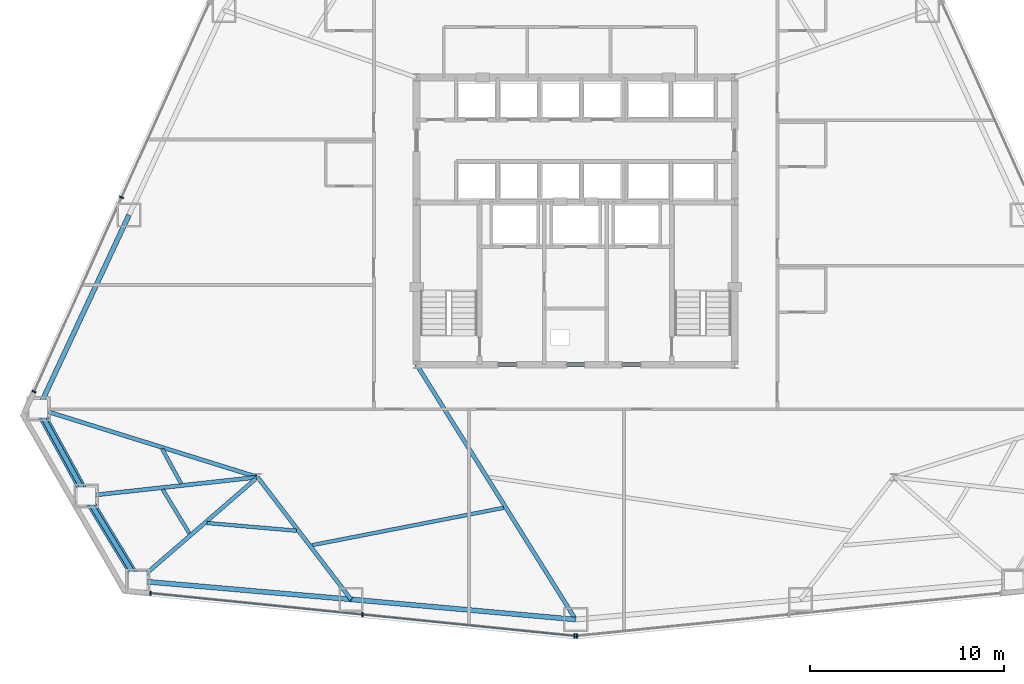
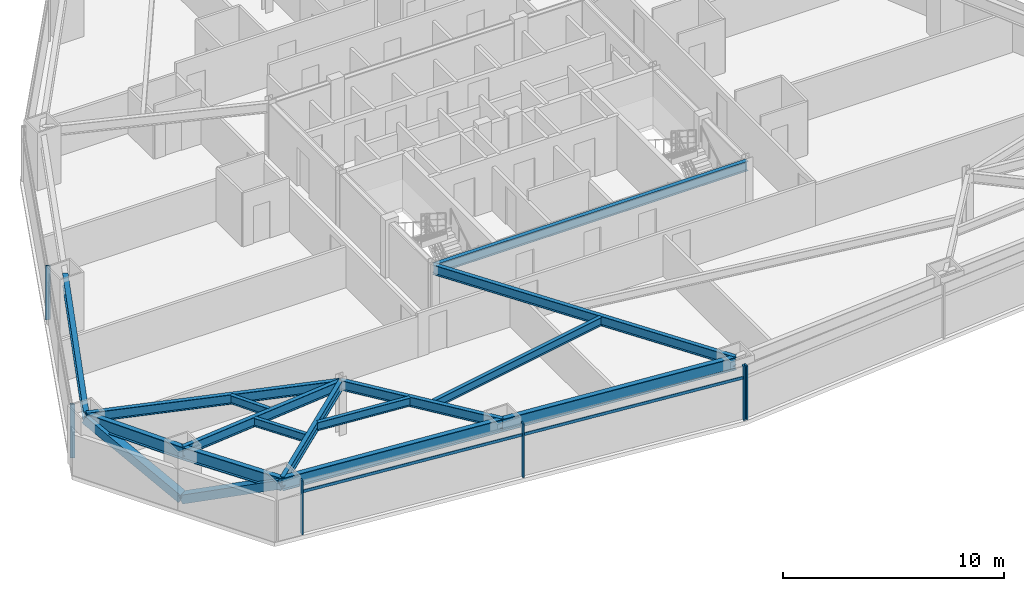
# One storey, part 4 of 12: 15 beams, 9 members, 3 elements without a shape of their own.
"""IFC4 building model written with IfcOpenShell, lengths in metres."""

from ifc_helpers import new_model, si_unit, direction, frame, origin, origin_2d, place, context, subcontext, project, spatial, rectangle, hollow_rectangle, i_section, extrude, source, transform, mapped, material, layer, layer_set, material_profile, profile_set, type_object, type_shapes, element, aggregate, save


model = new_model("IFC4")

# Units and contexts
model_context = context("Model", 3, precision=1e-05, world=origin(), true_north=direction((0.0, 1.0)))
body_context = subcontext(model_context, "Body", "Model", "MODEL_VIEW")
ifc_project = project(units=[si_unit("LENGTHUNIT", "METRE"), si_unit("AREAUNIT", "SQUARE_METRE"), si_unit("VOLUMEUNIT", "CUBIC_METRE"), si_unit("PLANEANGLEUNIT", "RADIAN"), si_unit("MASSUNIT", "GRAM", prefix="KILO")], contexts=[model_context])

# Site, building, storey
site_placement = place(None, origin())
site = spatial("IfcSite", under=ifc_project, at=site_placement, CompositionType="ELEMENT")
building_placement = place(site_placement, origin())
building = spatial("IfcBuilding", under=site, at=building_placement, Name="Varakhsha Concourse Tower", CompositionType="ELEMENT")
storey_placement = place(building_placement, frame((0.0, 0.0, 30.39990234375)))
storey = spatial("IfcBuildingStorey", under=building, at=storey_placement, Name="L07", CompositionType="ELEMENT", Elevation=30.39990234375)

# Beams
ifc_material_1 = material(Name="Structural Steel ASTM A992 Grade 50", Category="steel")
ifc_material_profile_1 = material_profile(ifc_material_1, i_section(OverallWidth=0.19091796875, OverallDepth=0.45703125, WebThickness=0.009033203125, FlangeThickness=0.013916015625, at=origin_2d()), Name="W18X50")
ifc_profile_set_1 = profile_set([ifc_material_profile_1], Name="Structural Steel ASTM A992 Grade 50")
beam_type_1 = type_object("IfcBeamType", Name="BM-JST-W18X50", PredefinedType="JOIST", material=ifc_profile_set_1)
beam_1_placement = place(storey_placement, frame((18.68212890625, 12.054931640625, 2.751708984375), z_axis=(0.480061927363, -0.877234601402, 0.0), x_axis=(0.877234601402, 0.480061927363, 0.0)))
element("IfcBeam", 1, at=beam_1_placement, inside=storey, type_object=beam_type_1, Name="BM-TJST-L07-07", PredefinedType="JOIST", context=body_context, shape_type="SweptSolid", body=[
    extrude(i_section(OverallWidth=0.19091796875, OverallDepth=0.45703125, WebThickness=0.009033203125, FlangeThickness=0.013916015625, at=origin_2d()), origin(), (0.0, 0.0, 1.0), 2.03515625),
])
beam_2_placement = place(storey_placement, frame((18.708984375, 9.962890625, 2.751708984375), z_axis=(0.519566972443, -0.854429728618, 0.0), x_axis=(0.854429728618, 0.519566972443, 0.0)))
element("IfcBeam", 2, at=beam_2_placement, inside=storey, type_object=beam_type_1, Name="BM-TJST-L07-08", PredefinedType="JOIST", context=body_context, shape_type="SweptSolid", body=[
    extrude(i_section(OverallWidth=0.19091796875, OverallDepth=0.45703125, WebThickness=0.009033203125, FlangeThickness=0.013916015625, at=origin_2d()), origin(), (0.0, 0.0, 1.0), 2.650146484375),
])
beam_3_placement = place(storey_placement, frame((20.993408203125, 8.23681640625, 2.751708984375), z_axis=(0.996276100102, -0.08622025496, 0.0), x_axis=(0.08622025496, 0.996276100102, 0.0)))
element("IfcBeam", 3, at=beam_3_placement, inside=storey, type_object=beam_type_1, Name="BM-TJST-L07-09", PredefinedType="JOIST", context=body_context, shape_type="SweptSolid", body=[
    extrude(i_section(OverallWidth=0.19091796875, OverallDepth=0.45703125, WebThickness=0.009033203125, FlangeThickness=0.013916015625, at=origin_2d()), origin(), (0.0, 0.0, 1.0), 4.632568359375),
])
beam_4_placement = place(storey_placement, frame((26.40380859375, 7.0927734375, 2.751708984375), z_axis=(0.981492370996, 0.191501241972, 0.0), x_axis=(-0.191501241972, 0.981492370996, 0.0)))
element("IfcBeam", 4, at=beam_4_placement, inside=storey, type_object=beam_type_1, Name="BM-TJST-L07-10", PredefinedType="JOIST", context=body_context, shape_type="SweptSolid", body=[
    extrude(i_section(OverallWidth=0.19091796875, OverallDepth=0.45703125, WebThickness=0.009033203125, FlangeThickness=0.013916015625, at=origin_2d()), origin(), (0.0, 0.0, 1.0), 10.06640625),
])
ifc_material_profile_2 = material_profile(ifc_material_1, i_section(OverallWidth=0.2109375, OverallDepth=0.5390625, WebThickness=0.011962890625, FlangeThickness=0.01904296875, at=origin_2d()), Name="W21X73")
ifc_profile_set_2 = profile_set([ifc_material_profile_2], Name="Structural Steel ASTM A992 Grade 50")
beam_type_2 = type_object("IfcBeamType", Name="BM-RAD-W21X73", PredefinedType="BEAM", material=ifc_profile_set_2)
beam_5_placement = place(storey_placement, frame((31.800048828125, 16.39990234375, 2.710693359375), z_axis=(1.0, 0.0, 0.0), x_axis=(0.0, 1.0, 0.0)))
element("IfcBeam", 5, at=beam_5_placement, inside=storey, type_object=beam_type_2, Name="BM-TCORE-L07-CS", PredefinedType="BEAM", context=body_context, shape_type="SweptSolid", body=[
    extrude(i_section(OverallWidth=0.2109375, OverallDepth=0.5390625, WebThickness=0.011962890625, FlangeThickness=0.01904296875, at=origin_2d()), origin(), (0.0, 0.0, 1.0), 16.39990234375),
])
beam_6_placement = place(storey_placement, frame((23.60009765625, 10.60009765625, 2.710693359375), z_axis=(-0.954595165952, 0.297906141495, 0.0), x_axis=(-0.297906141495, -0.954595165952, 0.0)))
element("IfcBeam", 6, at=beam_6_placement, inside=storey, type_object=beam_type_2, Name="L07 Radial Floor Girder 07", PredefinedType="BEAM", context=body_context, shape_type="SweptSolid", body=[
    extrude(i_section(OverallWidth=0.2109375, OverallDepth=0.5390625, WebThickness=0.011962890625, FlangeThickness=0.01904296875, at=origin_2d()), origin(), (0.0, 0.0, 1.0), 11.834716796875),
])
beam_7_placement = place(storey_placement, frame((23.60009765625, 10.60009765625, 2.710693359375), z_axis=(-0.994025918026, -0.109144281995, 0.0), x_axis=(0.109144281995, -0.994025918026, 0.0)))
element("IfcBeam", 7, at=beam_7_placement, inside=storey, type_object=beam_type_2, Name="L07 Radial Floor Girder 08", PredefinedType="BEAM", context=body_context, shape_type="SweptSolid", body=[
    extrude(i_section(OverallWidth=0.2109375, OverallDepth=0.5390625, WebThickness=0.011962890625, FlangeThickness=0.01904296875, at=origin_2d()), origin(), (0.0, 0.0, 1.0), 8.889404296875),
])
beam_8_placement = place(storey_placement, frame((23.60009765625, 10.60009765625, 2.710693359375), z_axis=(-0.755728528056, -0.65488502188, 0.0), x_axis=(0.65488502188, -0.755728528056, 0.0)))
element("IfcBeam", 8, at=beam_8_placement, inside=storey, type_object=beam_type_2, Name="L07 Radial Floor Girder 09", PredefinedType="BEAM", context=body_context, shape_type="SweptSolid", body=[
    extrude(i_section(OverallWidth=0.2109375, OverallDepth=0.5390625, WebThickness=0.011962890625, FlangeThickness=0.01904296875, at=origin_2d()), origin(), (0.0, 0.0, 1.0), 8.16845703125),
])
beam_9_placement = place(storey_placement, frame((23.60009765625, 10.60009765625, 2.710693359375), z_axis=(0.607124337511, -0.794606845428, 0.0), x_axis=(0.794606845428, 0.607124337511, 0.0)))
element("IfcBeam", 9, at=beam_9_placement, inside=storey, type_object=beam_type_2, Name="L07 Radial Floor Girder 10", PredefinedType="BEAM", context=body_context, shape_type="SweptSolid", body=[
    extrude(i_section(OverallWidth=0.2109375, OverallDepth=0.5390625, WebThickness=0.011962890625, FlangeThickness=0.01904296875, at=origin_2d()), origin(), (0.0, 0.0, 1.0), 7.92919921875),
])
beam_10_placement = place(storey_placement, frame((31.800048828125, 16.39990234375, 2.710693359375), z_axis=(0.52941931836, -0.84836029218, 0.0), x_axis=(0.84836029218, 0.52941931836, 0.0)))
element("IfcBeam", 10, at=beam_10_placement, inside=storey, type_object=beam_type_2, Name="L07 Radial Floor Girder 11", PredefinedType="BEAM", context=body_context, shape_type="SweptSolid", body=[
    extrude(i_section(OverallWidth=0.2109375, OverallDepth=0.5390625, WebThickness=0.011962890625, FlangeThickness=0.01904296875, at=origin_2d()), origin(), (0.0, 0.0, 1.0), 15.488525390625),
])
ifc_material_profile_3 = material_profile(ifc_material_1, i_section(OverallWidth=0.25390625, OverallDepth=0.701904296875, WebThickness=0.014892578125, FlangeThickness=0.028076171875, at=origin_2d()), Name="W27X129")
ifc_profile_set_3 = profile_set([ifc_material_profile_3], Name="Structural Steel ASTM A992 Grade 50")
beam_type_3 = type_object("IfcBeamType", Name="BM-SPAN-W27X129", PredefinedType="SPANDREL", material=ifc_profile_set_3)
beam_11_placement = place(storey_placement, frame((16.972900390625, 24.116455078125, 2.629150390625), z_axis=(-0.423468305163, -0.90591091975, 0.0), x_axis=(0.90591091975, -0.423468305163, 0.0)))
element("IfcBeam", 11, at=beam_11_placement, inside=storey, type_object=beam_type_3, Name="BM-SPAN-L07-06", PredefinedType="SPANDREL", context=body_context, shape_type="SweptSolid", body=[
    extrude(i_section(OverallWidth=0.25390625, OverallDepth=0.701904296875, WebThickness=0.014892578125, FlangeThickness=0.028076171875, at=origin_2d()), origin(), (0.0, 0.0, 1.0), 11.0283203125),
])
beam_12_placement = place(storey_placement, frame((12.302734375, 14.125732421875, 2.629150390625), z_axis=(0.480189853619, -0.877164582323, 0.0), x_axis=(0.877164582323, 0.480189853619, 0.0)))
element("IfcBeam", 12, at=beam_12_placement, inside=storey, type_object=beam_type_3, Name="BM-SPAN-L07-07", PredefinedType="SPANDREL", context=body_context, shape_type="SweptSolid", body=[
    extrude(i_section(OverallWidth=0.25390625, OverallDepth=0.701904296875, WebThickness=0.014892578125, FlangeThickness=0.028076171875, at=origin_2d()), origin(), (0.0, 0.0, 1.0), 5.12548828125),
])
beam_13_placement = place(storey_placement, frame((14.763916015625, 9.6298828125, 2.629150390625), z_axis=(0.519593292706, -0.854413723072, 0.0), x_axis=(0.854413723072, 0.519593292706, 0.0)))
element("IfcBeam", 13, at=beam_13_placement, inside=storey, type_object=beam_type_3, Name="BM-SPAN-L07-08", PredefinedType="SPANDREL", context=body_context, shape_type="SweptSolid", body=[
    extrude(i_section(OverallWidth=0.25390625, OverallDepth=0.701904296875, WebThickness=0.014892578125, FlangeThickness=0.028076171875, at=origin_2d()), origin(), (0.0, 0.0, 1.0), 5.125244140625),
])
beam_14_placement = place(storey_placement, frame((17.427001953125, 5.250732421875, 2.629150390625), z_axis=(0.996273577178, -0.086249402411, 0.0), x_axis=(0.086249402411, 0.996273577178, 0.0)))
element("IfcBeam", 14, at=beam_14_placement, inside=storey, type_object=beam_type_3, Name="BM-SPAN-L07-09", PredefinedType="SPANDREL", context=body_context, shape_type="SweptSolid", body=[
    extrude(i_section(OverallWidth=0.25390625, OverallDepth=0.701904296875, WebThickness=0.014892578125, FlangeThickness=0.028076171875, at=origin_2d()), origin(), (0.0, 0.0, 1.0), 11.028076171875),
])
beam_15_placement = place(storey_placement, frame((28.4140625, 4.299560546875, 2.629150390625), z_axis=(0.995998835259, -0.089366213767, 0.0), x_axis=(0.089366213767, 0.995998835259, 0.0)))
element("IfcBeam", 15, at=beam_15_placement, inside=storey, type_object=beam_type_3, Name="BM-SPAN-L07-10", PredefinedType="SPANDREL", context=body_context, shape_type="SweptSolid", body=[
    extrude(i_section(OverallWidth=0.25390625, OverallDepth=0.701904296875, WebThickness=0.014892578125, FlangeThickness=0.028076171875, at=origin_2d()), origin(), (0.0, 0.0, 1.0), 11.632568359375),
])

# Members
ifc_material_2 = material(Name="Structural Steel ASTM A500 Grade C", Category="steel")
ifc_material_profile_4 = material_profile(ifc_material_2, hollow_rectangle(XDim=0.449951171875, YDim=0.449951171875, WallThickness=0.01904296875, at=origin_2d()), Name="HSS 450x450x19")
ifc_profile_set_4 = profile_set([ifc_material_profile_4], Name="Structural Steel ASTM A500 Grade C")
member_type_1 = type_object("IfcMemberType", Name="MB-TUBE-HSS450", PredefinedType="BRACE", material=ifc_profile_set_4)
shared_shape_1 = source(origin(), body_context, "Body", "SweptSolid", [
    extrude(hollow_rectangle(XDim=0.449951171875, YDim=0.449951171875, WallThickness=0.01904296875, at=origin_2d()), origin(), (0.0, 0.0, 1.0), 5.729248046875),
])
type_shapes(member_type_1, [shared_shape_1])
for number, where, z_axis, x_axis, name in (
    (16, (14.763916015625, 9.6298828125, 0.1201171875), (-0.429583958076, 0.78472260569, 0.446842315681), (-0.877164582323, -0.480189853619, 0.0), "L07 Wind-Corner Tube Brace B03"),
    (17, (14.763916015625, 9.6298828125, 0.1201171875), (0.464832843975, -0.764366219507, 0.446849761819), (0.854413723072, 0.519593292706, 0.0), "L07 Wind-Corner Tube Brace B04"),
):
    element("IfcMember", number, at=place(storey_placement, frame(where, z_axis=z_axis, x_axis=x_axis)), inside=storey, type_object=member_type_1, Name=name, PredefinedType="BRACE", context=body_context, shape_type="MappedRepresentation", body=[
        mapped(shared_shape_1, transform((0.0, 0.0, 0.0), scale=1.0)),
    ])

# Curtain wall, members
ifc_material_3 = material(Name="Anodised Bronze Architectural Aluminium AA 6063-T6", Category="aluminium")
ifc_layer = layer(ifc_material_3, 0.219970703125, Name="CW-SYS-02")
ifc_layer_set = layer_set([ifc_layer], Name="Anodised Bronze Architectural Aluminium AA 6063-T6")
curtain_wall_type = type_object("IfcCurtainWallType", Name="CW-SYS-02", PredefinedType="NOTDEFINED", material=ifc_layer_set)
curtain_wall_1_placement = place(storey_placement, origin())
curtain_wall_1 = element("IfcCurtainWall", 18, at=curtain_wall_1_placement, inside=storey, type_object=curtain_wall_type, Name="L07 Crystal Curtain Wall F3", PredefinedType="NOTDEFINED")
ifc_material_profile_5 = material_profile(ifc_material_3, rectangle(XDim=0.074951171875, YDim=0.219970703125, at=origin_2d()), Name="CWM-220X75")
ifc_profile_set_5 = profile_set([ifc_material_profile_5], Name="Anodised Bronze Architectural Aluminium AA 6063-T6")
member_type_2 = type_object("IfcMemberType", Name="CWM-220X75", PredefinedType="MULLION", material=ifc_profile_set_5)
shared_shape_2 = source(origin(), body_context, "Body", "SweptSolid", [
    extrude(rectangle(XDim=0.074951171875, YDim=0.219970703125, at=origin_2d()), origin(), (0.0, 0.0, 1.0), 2.97998046875),
])
type_shapes(member_type_2, [shared_shape_2])
member_1_placement = place(storey_placement, frame((12.080810546875, 15.0087890625, 0.0), z_axis=(0.0, 0.0, 1.0), x_axis=(0.410683843161, 0.911777813377, 0.0)))
member_1 = element("IfcMember", 19, at=member_1_placement, type_object=member_type_2, Name="CW-L07-F3 Mullion 00", PredefinedType="MULLION", context=body_context, shape_type="MappedRepresentation", body=[
    mapped(shared_shape_2, transform((0.0, 0.0, 0.0), scale=1.0)),
])
member_2_placement = place(storey_placement, frame((16.59130859375, 25.023193359375, 0.0), z_axis=(0.0, 0.0, 1.0), x_axis=(0.410683843161, 0.911777813377, 0.0)))
member_2 = element("IfcMember", 20, at=member_2_placement, type_object=member_type_2, Name="CW-L07-F3 Mullion 01", PredefinedType="MULLION", context=body_context, shape_type="MappedRepresentation", body=[
    mapped(shared_shape_2, transform((0.0, 0.0, 0.0), scale=1.0)),
])
aggregate(curtain_wall_1, [member_1, member_2])

curtain_wall_2_placement = place(storey_placement, origin())
curtain_wall_2 = element("IfcCurtainWall", 21, at=curtain_wall_2_placement, inside=storey, type_object=curtain_wall_type, Name="L07 Crystal Curtain Wall F5", PredefinedType="NOTDEFINED")
member_3_placement = place(storey_placement, frame((39.936279296875, 2.415283203125, 0.0), z_axis=(0.0, 0.0, 1.0), x_axis=(-0.994964670572, 0.100226265587, 0.0)))
member_3 = element("IfcMember", 22, at=member_3_placement, type_object=member_type_2, Name="CW-L07-F5 Mullion 00", PredefinedType="MULLION", context=body_context, shape_type="MappedRepresentation", body=[
    mapped(shared_shape_2, transform((0.0, 0.0, 0.0), scale=1.0)),
])
member_4_placement = place(storey_placement, frame((29.008544921875, 3.51611328125, 0.0), z_axis=(0.0, 0.0, 1.0), x_axis=(-0.994964670572, 0.100226265587, 0.0)))
member_4 = element("IfcMember", 23, at=member_4_placement, type_object=member_type_2, Name="CW-L07-F5 Mullion 01", PredefinedType="MULLION", context=body_context, shape_type="MappedRepresentation", body=[
    mapped(shared_shape_2, transform((0.0, 0.0, 0.0), scale=1.0)),
])
member_5_placement = place(storey_placement, frame((18.080810546875, 4.61669921875, 0.0), z_axis=(0.0, 0.0, 1.0), x_axis=(-0.994964670572, 0.100226265587, 0.0)))
member_5 = element("IfcMember", 24, at=member_5_placement, type_object=member_type_2, Name="CW-L07-F5 Mullion 02", PredefinedType="MULLION", context=body_context, shape_type="MappedRepresentation", body=[
    mapped(shared_shape_2, transform((0.0, 0.0, 0.0), scale=1.0)),
])

# Curtain wall, member
curtain_wall_3_placement = place(storey_placement, origin())
curtain_wall_3 = element("IfcCurtainWall", 25, at=curtain_wall_3_placement, inside=storey, type_object=curtain_wall_type, Name="L07 Crystal Curtain Wall F6", PredefinedType="NOTDEFINED")
member_6_placement = place(storey_placement, frame((40.063720703125, 2.415283203125, 0.0), z_axis=(0.0, 0.0, 1.0), x_axis=(-0.994964670572, -0.100226265587, 0.0)))
member_6 = element("IfcMember", 26, at=member_6_placement, type_object=member_type_2, Name="CW-L07-F6 Mullion 02", PredefinedType="MULLION", context=body_context, shape_type="MappedRepresentation", body=[
    mapped(shared_shape_2, transform((0.0, 0.0, 0.0), scale=1.0)),
])
aggregate(curtain_wall_3, [member_6])

# Member
ifc_material_profile_6 = material_profile(ifc_material_3, rectangle(XDim=0.06494140625, YDim=0.159912109375, at=origin_2d()), Name="CWT-160X65")
ifc_profile_set_6 = profile_set([ifc_material_profile_6], Name="Anodised Bronze Architectural Aluminium AA 6063-T6")
member_type_3 = type_object("IfcMemberType", Name="CWT-160X65", PredefinedType="USERDEFINED", material=ifc_profile_set_6)
shared_shape_3 = source(origin(), body_context, "Body", "SweptSolid", [
    extrude(rectangle(XDim=0.06494140625, YDim=0.159912109375, at=origin_2d()), origin(), (0.0, 0.0, 1.0), 21.966064453125),
])
type_shapes(member_type_3, [shared_shape_3])
member_7_placement = place(storey_placement, frame((39.936279296875, 2.415283203125, 2.330078125), z_axis=(-0.99496540449, 0.100218979583, 0.0), x_axis=(-0.100218979583, -0.99496540449, 0.0)))
member_7 = element("IfcMember", 27, at=member_7_placement, type_object=member_type_3, Name="CW-L07-F5 Transom 01", ObjectType="TRANSOM", PredefinedType="USERDEFINED", context=body_context, shape_type="MappedRepresentation", body=[
    mapped(shared_shape_3, transform((0.0, 0.0, 0.0), scale=1.0)),
])

aggregate(curtain_wall_2, [member_3, member_4, member_5, member_7])

save(model, "model.ifc")
